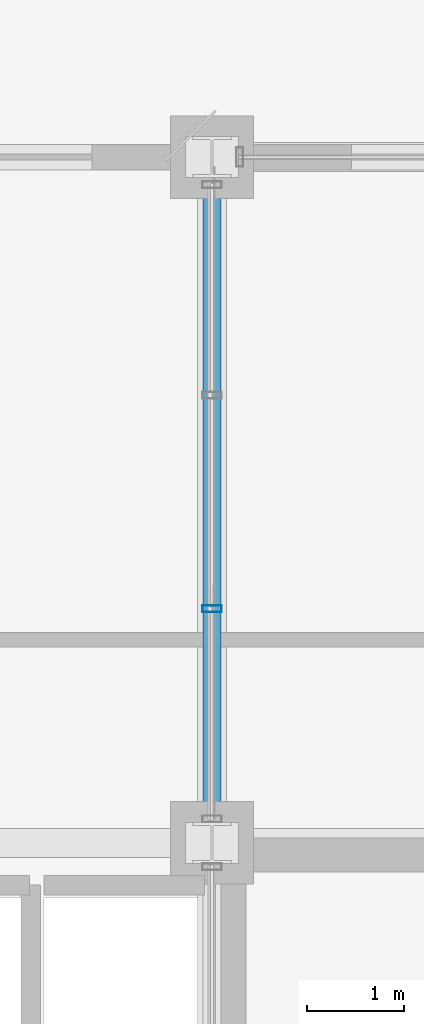
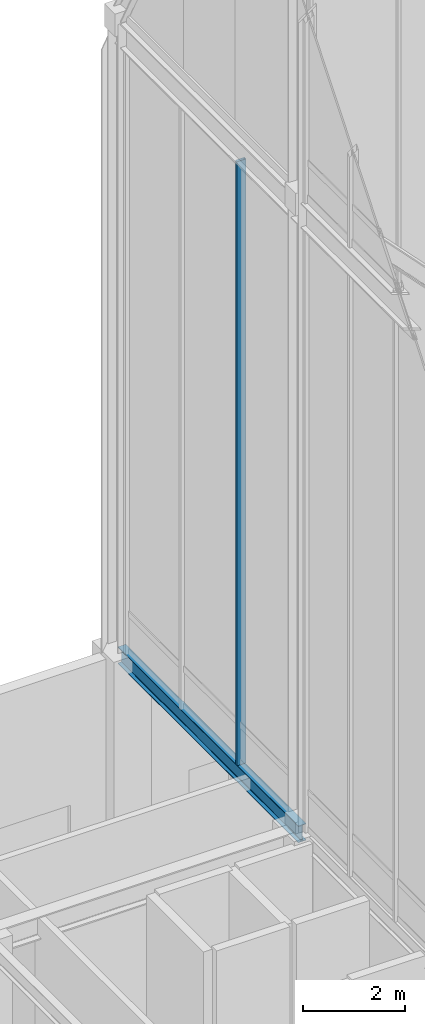
# One storey, part 21 of 49: 1 beam, 1 member, 1 element without a shape of its own.
"""IFC4 building model written with IfcOpenShell, lengths in metres."""

import ifcopenshell
import ifcopenshell.guid

model = None  # the IFC model being written
_history = None  # IfcOwnerHistory: only IFC2X3 demands one
_inside = {}  # id of a spatial element -> (the spatial element, [elements in it])
_under = {}  # id of a project, library or spatial element -> (it, [spatial elements below it])
_declared = {}  # id of a project -> (the project, [libraries it declares])
_typed = {}  # id of a type object -> (the type object, [elements of that type])
_made_of = {}  # id of a material, layer set ... -> (it, [elements and type objects made of it])


def new_model(schema):
    """Start an empty IFC model of exactly this schema.

    Asked for "IFC4X3", IfcOpenShell would pick the latest addendum, in which some entities
    have other attributes; the version numbers below select the first issue.
    IFC2X3 requires an IfcOwnerHistory on every rooted entity: one is made here for all.
    """
    global model, _history
    if schema == "IFC4X3":
        model = ifcopenshell.file(schema_version=(4, 3, 0, 0))
    else:
        model = ifcopenshell.file(schema=schema)
    _inside.clear()
    _under.clear()
    _declared.clear()
    _typed.clear()
    _made_of.clear()
    _history = None
    if model.schema == "IFC2X3":
        org = make("IfcOrganization", Name="unknown")
        user = make(
            "IfcPersonAndOrganization",
            ThePerson=make("IfcPerson", FamilyName="unknown"),
            TheOrganization=org,
        )
        app = make(
            "IfcApplication",
            ApplicationDeveloper=org,
            Version="unknown",
            ApplicationFullName="unknown",
            ApplicationIdentifier="unknown",
        )
        _history = make(
            "IfcOwnerHistory",
            OwningUser=user,
            OwningApplication=app,
            ChangeAction="ADDED",
            CreationDate=0,
        )
    return model


def make(cls, **values):
    """One entity of the class cls with the attributes given. An attribute that is None is left unset."""
    return model.create_entity(
        cls, **{name: value for name, value in values.items() if value is not None}
    )


def rooted(cls, **values):
    """An entity with a GlobalId (a new one), such as an element, a storey or a relation."""
    return make(cls, GlobalId=ifcopenshell.guid.new(), OwnerHistory=_history, **values)


def si_unit(unit_type, name, prefix=None):
    """IfcSIUnit, for example si_unit("LENGTHUNIT", "METRE", prefix="MILLI")."""
    return make("IfcSIUnit", UnitType=unit_type, Prefix=prefix, Name=name)


def assignment(units):
    """IfcUnitAssignment: the units of a project."""
    return None if units is None else make("IfcUnitAssignment", Units=units)


def point(xyz):
    """IfcCartesianPoint."""
    return None if xyz is None else make("IfcCartesianPoint", Coordinates=xyz)


def direction(xyz):
    """IfcDirection."""
    return None if xyz is None else make("IfcDirection", DirectionRatios=xyz)


def frame(location, z_axis=None, x_axis=None):
    """IfcAxis2Placement3D, a coordinate frame: its origin and axes. An axis left out is left unset."""
    return make(
        "IfcAxis2Placement3D",
        Location=point(location),
        Axis=direction(z_axis),
        RefDirection=direction(x_axis),
    )


def frame_2d(location, x_axis=None):
    """IfcAxis2Placement2D, a coordinate frame in the plane: its origin and x axis."""
    return make(
        "IfcAxis2Placement2D", Location=point(location), RefDirection=direction(x_axis)
    )


def origin():
    """The frame at (0, 0, 0) with its axes left unset."""
    return frame((0.0, 0.0, 0.0))


def origin_2d():
    """The frame at (0, 0) in the plane with its x axis left unset."""
    return frame_2d((0.0, 0.0))


def place(relative_to, where):
    """IfcLocalPlacement: puts the frame where relative to a parent placement (None: the world)."""
    return make(
        "IfcLocalPlacement", PlacementRelTo=relative_to, RelativePlacement=where
    )


def context(
    kind, dimensions, precision=None, world=None, true_north=None, identifier=None
):
    """IfcGeometricRepresentationContext, for example the 3D "Model" context."""
    return make(
        "IfcGeometricRepresentationContext",
        ContextIdentifier=identifier,
        ContextType=kind,
        CoordinateSpaceDimension=dimensions,
        Precision=precision,
        WorldCoordinateSystem=world,
        TrueNorth=true_north,
    )


def subcontext(parent, identifier, kind, view, scale=None):
    """IfcGeometricRepresentationSubContext, for example "Body" below "Model"."""
    return make(
        "IfcGeometricRepresentationSubContext",
        ContextIdentifier=identifier,
        ContextType=kind,
        ParentContext=parent,
        TargetScale=scale,
        TargetView=view,
    )


def project(units=None, contexts=None):
    """IfcProject with its units and contexts."""
    return rooted(
        "IfcProject",
        Name="project",
        RepresentationContexts=contexts,
        UnitsInContext=assignment(units),
    )


def spatial(cls, under=None, at=None, **own):
    """A site, building, storey or space (cls), placed at a placement, below another one or the project."""
    s = rooted(cls, ObjectPlacement=at, **own)
    if under is not None:
        _under.setdefault(under.id(), (under, []))[1].append(s)
    return s


def profile(cls, at=None, kind="AREA", **sizes):
    """A parametric profile (cls). Its sizes go by their IFC names, for example OverallWidth=200.0."""
    return make(cls, ProfileType=kind, Position=at, **sizes)


def hollow_rectangle(**sizes):
    """IfcRectangleHollowProfileDef."""
    return profile("IfcRectangleHollowProfileDef", **sizes)


def i_section(**sizes):
    """IfcIShapeProfileDef."""
    return profile("IfcIShapeProfileDef", **sizes)


def extrude(swept, where, along, depth):
    """IfcExtrudedAreaSolid: the profile swept, set in the frame where, extruded along a direction by depth."""
    return make(
        "IfcExtrudedAreaSolid",
        SweptArea=swept,
        Position=where,
        ExtrudedDirection=direction(along),
        Depth=depth,
    )


def shape(context_of_items, identifier, shape_type, items):
    """IfcShapeRepresentation: the items that make up one representation, for example the "Body"."""
    return make(
        "IfcShapeRepresentation",
        ContextOfItems=context_of_items,
        RepresentationIdentifier=identifier,
        RepresentationType=shape_type,
        Items=items,
    )


def source(mapping_origin, context_of_items, identifier, shape_type, items):
    """IfcRepresentationMap: a shape defined once, which mapped items show again and again."""
    return make(
        "IfcRepresentationMap",
        MappingOrigin=mapping_origin,
        MappedRepresentation=shape(context_of_items, identifier, shape_type, items),
    )


def transform(
    local_origin,
    x_axis=None,
    y_axis=None,
    z_axis=None,
    scale=None,
    scale2=None,
    scale3=None,
    uniform=True,
):
    """IfcCartesianTransformationOperator3D, or its non-uniform kind. x_axis, y_axis, z_axis: its Axis1, 2, 3."""
    if uniform:
        return make(
            "IfcCartesianTransformationOperator3D",
            Axis1=direction(x_axis),
            Axis2=direction(y_axis),
            LocalOrigin=point(local_origin),
            Scale=scale,
            Axis3=direction(z_axis),
        )
    return make(
        "IfcCartesianTransformationOperator3DnonUniform",
        Axis1=direction(x_axis),
        Axis2=direction(y_axis),
        LocalOrigin=point(local_origin),
        Scale=scale,
        Axis3=direction(z_axis),
        Scale2=scale2,
        Scale3=scale3,
    )


def mapped(mapping_source, mapping_target):
    """IfcMappedItem: shows the shape of a source again, moved by a transform."""
    return make(
        "IfcMappedItem", MappingSource=mapping_source, MappingTarget=mapping_target
    )


def material(Name=None, Category=None):
    """IfcMaterial."""
    return make("IfcMaterial", Name=Name, Category=Category)


def layer(
    of_material, thickness, ventilated=None, Name=None, Category=None, Priority=None
):
    """IfcMaterialLayer: one layer of a wall or slab, of a material (None: an air gap)."""
    return make(
        "IfcMaterialLayer",
        Material=of_material,
        LayerThickness=thickness,
        IsVentilated=ventilated,
        Name=Name,
        Category=Category,
        Priority=Priority,
    )


def layer_set(layers, Name=None):
    """IfcMaterialLayerSet."""
    return make("IfcMaterialLayerSet", MaterialLayers=layers, LayerSetName=Name)


def material_profile(
    of_material, cross_section, Name=None, Category=None, Priority=None
):
    """IfcMaterialProfile: a cross section and its material."""
    return make(
        "IfcMaterialProfile",
        Name=Name,
        Material=of_material,
        Profile=cross_section,
        Priority=Priority,
        Category=Category,
    )


def profile_set(profiles, Name=None, composite=None):
    """IfcMaterialProfileSet."""
    return make(
        "IfcMaterialProfileSet",
        Name=Name,
        MaterialProfiles=profiles,
        CompositeProfile=composite,
    )


def made_of(thing, what):
    """Note that an element or type object is made of a material, layer set ...; save() writes the relation."""
    if what is not None:
        _made_of.setdefault(what.id(), (what, []))[1].append(thing)
    return thing


def type_object(cls, material=None, **own):
    """A type object (cls), such as IfcWallType, which elements share."""
    return made_of(rooted(cls, **own), material)


def element(
    cls,
    number,
    at=None,
    inside=None,
    cuts=None,
    type_object=None,
    material=None,
    context=None,
    identifier="Body",
    shape_type=None,
    held_by="IfcProductDefinitionShape",
    body=None,
    shapes=None,
    **own,
):
    """One element of the class cls, such as IfcWall. Its Tag is "e" and its number.

    at: its placement. inside: the storey or other place that contains it. cuts: it is an
    opening in that element (IfcRelVoidsElement). A single representation is given by context,
    identifier, shape_type and body (its items); several are given by shapes. held_by: the class
    of the entity that holds the representations. save() writes the other relations.
    """
    e = rooted(cls, Tag="e%d" % number, ObjectPlacement=at, **own)
    if body is not None:
        shapes = [shape(context, identifier, shape_type, body)]
    if shapes is not None:
        e.Representation = make(held_by, Representations=shapes)
    if inside is not None:
        _inside.setdefault(inside.id(), (inside, []))[1].append(e)
    if cuts is not None:
        rooted(
            "IfcRelVoidsElement", RelatingBuildingElement=cuts, RelatedOpeningElement=e
        )
    if type_object is not None:
        _typed.setdefault(type_object.id(), (type_object, []))[1].append(e)
    return made_of(e, material)


def aggregate(whole, parts):
    """IfcRelAggregates: a whole, such as a stair, and the parts it consists of."""
    return rooted("IfcRelAggregates", RelatingObject=whole, RelatedObjects=parts)


def save(model, path):
    """Write the relations noted so far, then the file.

    IfcRelAggregates (storeys below a building ...), IfcRelContainedInSpatialStructure (elements
    in a storey), IfcRelDefinesByType, IfcRelAssociatesMaterial and IfcRelDeclares: one each for
    every whole, place, type object, material and project.
    """
    for whole, parts in _under.values():
        aggregate(whole, parts)
    for where, things in _inside.values():
        rooted(
            "IfcRelContainedInSpatialStructure",
            RelatedElements=things,
            RelatingStructure=where,
        )
    for kind, things in _typed.values():
        rooted("IfcRelDefinesByType", RelatedObjects=things, RelatingType=kind)
    for what, things in _made_of.values():
        rooted("IfcRelAssociatesMaterial", RelatedObjects=things, RelatingMaterial=what)
    for by, libraries in _declared.values():
        rooted("IfcRelDeclares", RelatingContext=by, RelatedDefinitions=libraries)
    model.write(path)


model = new_model("IFC4")

# Units and contexts
model_context = context("Model", 3, precision=1e-05, world=origin(), true_north=direction((0.0, 1.0)))
body_context = subcontext(model_context, "Body", "Model", "MODEL_VIEW")
ifc_project = project(units=[si_unit("LENGTHUNIT", "METRE"), si_unit("AREAUNIT", "SQUARE_METRE"), si_unit("VOLUMEUNIT", "CUBIC_METRE"), si_unit("PLANEANGLEUNIT", "RADIAN"), si_unit("MASSUNIT", "GRAM", prefix="KILO")], contexts=[model_context])

# Site, building, storey
site_placement = place(None, origin())
site = spatial("IfcSite", under=ifc_project, at=site_placement, CompositionType="ELEMENT")
building_placement = place(site_placement, origin())
building = spatial("IfcBuilding", under=site, at=building_placement, Name="Kaliganga Portal Commons", CompositionType="ELEMENT")
storey_placement = place(building_placement, frame((0.0, 0.0, 298.0)))
storey = spatial("IfcBuildingStorey", under=building, at=storey_placement, Name="L77", CompositionType="ELEMENT", Elevation=298.0)

# Beam
ifc_material_1 = material(Name="Structural steel S355J2", Category="steel")
ifc_material_profile_1 = material_profile(ifc_material_1, i_section(OverallWidth=0.179931640625, OverallDepth=0.39990234375, WebThickness=0.008544921875, FlangeThickness=0.013427734375, FilletRadius=0.02099609375, at=origin_2d()), Name="IPE 400")
ifc_profile_set_1 = profile_set([ifc_material_profile_1], Name="Structural steel S355J2 wide-flange")
beam_type = type_object("IfcBeamType", Name="BM-FLR-400", PredefinedType="BEAM", material=ifc_profile_set_1)
shared_shape_1 = source(origin(), body_context, "Body", "SweptSolid", [
    extrude(i_section(OverallWidth=0.179931640625, OverallDepth=0.39990234375, WebThickness=0.008544921875, FlangeThickness=0.013427734375, FilletRadius=0.02099609375, at=origin_2d()), origin(), (0.0, 0.0, 1.0), 7.050048828125),
])
beam_placement = place(storey_placement, frame((14.39990234375, 36.14990234375, 5.800048828125), z_axis=(0.0, 1.0, 0.0), x_axis=(-1.0, 0.0, 0.0)))
element("IfcBeam", 1, at=beam_placement, inside=storey, type_object=beam_type, Name="BM G L77 AN144", PredefinedType="BEAM", context=body_context, shape_type="MappedRepresentation", body=[
    mapped(shared_shape_1, transform((0.0, 0.0, 0.0), x_axis=(1.0, 0.0, 0.0), y_axis=(0.0, 1.0, 0.0), z_axis=(0.0, 0.0, 1.0), scale=1.0)),
])

# Curtain wall, member
ifc_material_2 = material(Name="Anodized Aluminium and Laminated Low-E Glass", Category="aluminium")
ifc_layer = layer(ifc_material_2, 0.25)
ifc_layer_set = layer_set([ifc_layer], Name="Anodized Aluminium and Laminated Low-E Glass")
curtain_wall_type = type_object("IfcCurtainWallType", Name="CW-SYS-06", PredefinedType="NOTDEFINED", material=ifc_layer_set)
curtain_wall_placement = place(storey_placement, origin())
curtain_wall = element("IfcCurtainWall", 2, at=curtain_wall_placement, inside=storey, type_object=curtain_wall_type, Name="CW 06 L77 WN", PredefinedType="NOTDEFINED")
ifc_material_3 = material(Name="Dark Bronze Anodized Aluminium", Category="aluminium")
ifc_material_profile_2 = material_profile(ifc_material_3, hollow_rectangle(XDim=0.070068359375, YDim=0.199951171875, WallThickness=0.00390625, at=origin_2d()), Name="ALU MULL 70x200x4")
ifc_profile_set_2 = profile_set([ifc_material_profile_2], Name="Dark Bronze Anodized Aluminium")
member_type = type_object("IfcMemberType", Name="CW-MUL-220", PredefinedType="MULLION", material=ifc_profile_set_2)
shared_shape_2 = source(origin(), body_context, "Body", "SweptSolid", [
    extrude(hollow_rectangle(XDim=0.070068359375, YDim=0.199951171875, WallThickness=0.00390625, at=origin_2d()), origin(), (0.0, 0.0, 1.0), 14.39990234375),
])
member_placement = place(storey_placement, frame((14.39990234375, 38.556640625, 6.0), z_axis=(0.0, 0.0, 1.0), x_axis=(0.0, 1.0, 0.0)))
member = element("IfcMember", 3, at=member_placement, type_object=member_type, Name="CW:06:L77:WN Mullion 01", PredefinedType="MULLION", context=body_context, shape_type="MappedRepresentation", body=[
    mapped(shared_shape_2, transform((0.0, 0.0, 0.0), x_axis=(1.0, 0.0, 0.0), y_axis=(0.0, 1.0, 0.0), z_axis=(0.0, 0.0, 1.0), scale=1.0)),
])
aggregate(curtain_wall, [member])

save(model, "model.ifc")
